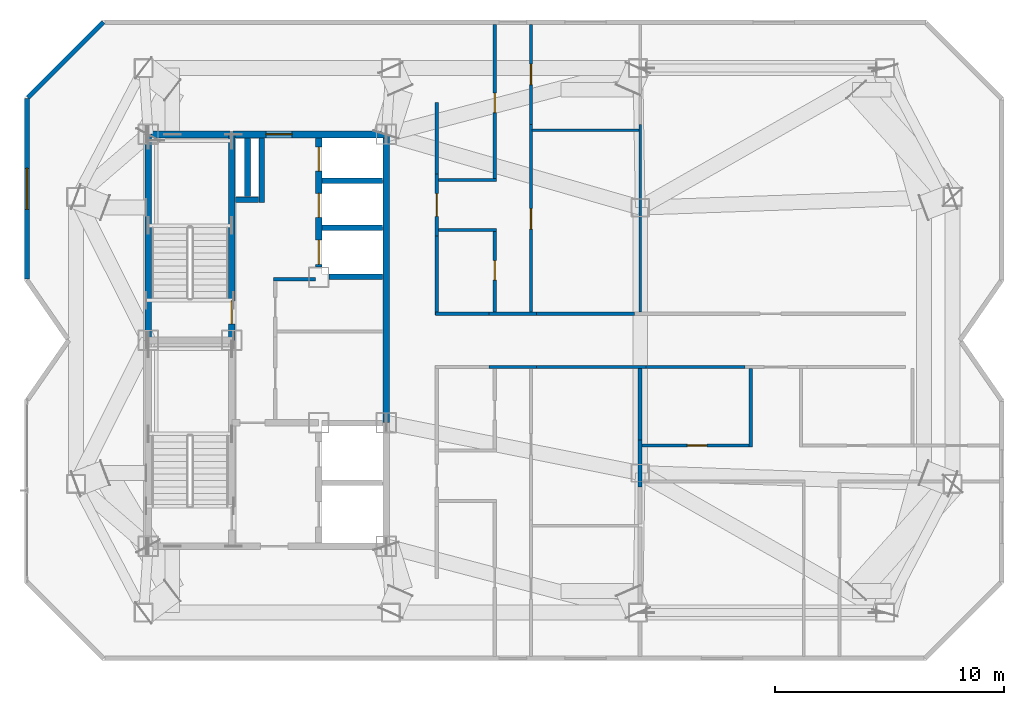
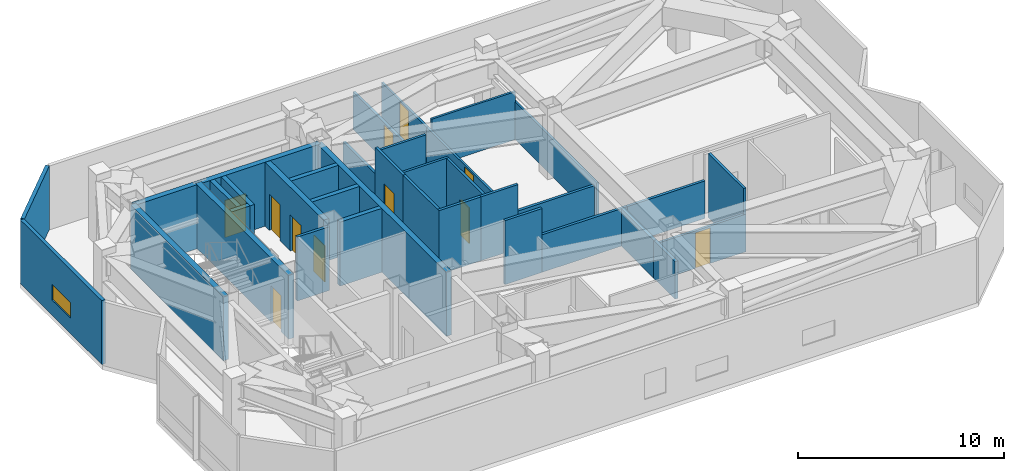
# One storey, part 7 of 9: 35 walls, 11 doors, 1 window, 12 openings.
"""IFC4 building model written with IfcOpenShell, lengths in metres."""

from ifc_helpers import new_model, si_unit, direction, frame, frame_2d, origin, place, context, subcontext, project, spatial, rectangle, extrude, material, layer, layer_set, type_object, element, fill, save


model = new_model("IFC4")

# Units and contexts
model_context = context("Model", 3, precision=1e-05, world=origin(), true_north=direction((0.0, 1.0)))
body_context = subcontext(model_context, "Body", "Model", "MODEL_VIEW")
ifc_project = project(units=[si_unit("LENGTHUNIT", "METRE"), si_unit("AREAUNIT", "SQUARE_METRE"), si_unit("VOLUMEUNIT", "CUBIC_METRE"), si_unit("PLANEANGLEUNIT", "RADIAN"), si_unit("MASSUNIT", "GRAM", prefix="KILO")], contexts=[model_context])

# Site, building, storey
site_placement = place(None, origin())
site = spatial("IfcSite", under=ifc_project, at=site_placement, CompositionType="ELEMENT")
building_placement = place(site_placement, origin())
building = spatial("IfcBuilding", under=site, at=building_placement, Name="Khamvora Tower", CompositionType="ELEMENT")
storey_placement = place(building_placement, frame((0.0, 0.0, 282.050048828125)))
storey = spatial("IfcBuildingStorey", under=building, at=storey_placement, Name="L72", CompositionType="ELEMENT", Elevation=282.050048828125)

# Wall
ifc_material_1 = material(Name="Concrete C50/60", Category="concrete")
ifc_layer_1 = layer(ifc_material_1, 0.300048828125)
ifc_layer_set_1 = layer_set([ifc_layer_1], Name="Concrete C50/60")
wall_type_1 = type_object("IfcWallType", Name="WAL-CORE-300", PredefinedType="SHEAR", material=ifc_layer_set_1)
wall_1_placement = place(storey_placement, frame((29.0, 28.0, 0.0), z_axis=(0.0, 0.0, 1.0), x_axis=(0.0, 1.0, 0.0)))
element("IfcWall", 1, at=wall_1_placement, inside=storey, type_object=wall_type_1, Name="L72 central core west north wall", PredefinedType="SHEAR", context=body_context, shape_type="SweptSolid", body=[
    extrude(rectangle(XDim=9.0, YDim=0.300048828125, at=frame_2d((4.5, 0.0))), origin(), (0.0, 0.0, 1.0), 3.780029296875),
])

# Wall, opening, door
wall_2_placement = place(storey_placement, frame((29.0, 37.0, 0.0), z_axis=(0.0, 0.0, 1.0), x_axis=(1.0, 0.0, 0.0)))
wall_2 = element("IfcWall", 2, at=wall_2_placement, inside=storey, type_object=wall_type_1, Name="L72 central core north wall", PredefinedType="SHEAR", context=body_context, shape_type="SweptSolid", body=[
    extrude(rectangle(XDim=10.39990234375, YDim=0.300048828125, at=frame_2d((5.199951171875, 0.0))), origin(), (0.0, 0.0, 1.0), 3.780029296875),
])
opening_1_placement = place(wall_2_placement, frame((5.139892578125, 0.0, 0.0)))
opening_1 = element("IfcOpeningElement", 3, at=opening_1_placement, cuts=wall_2, Name="Opening D-SC1", PredefinedType="OPENING", context=body_context, shape_type="SweptSolid", body=[
    extrude(rectangle(XDim=1.14990234375, YDim=2.199951171875, at=frame_2d((0.574951171875, 1.10009765625))), frame((0.0, 0.159912109375, 0.0), z_axis=(0.0, -1.0, 0.0), x_axis=(1.0, 0.0, 0.0)), (0.0, 0.0, 1.0), 0.320068359375),
])
ifc_material_2 = material(Name="Powder-Coated Steel and Hardwood Leaf", Category="steel")
door_type_1 = type_object("IfcDoorType", Name="DOR-SCHL-1150", OperationType="NOTDEFINED", PredefinedType="DOOR", material=ifc_material_2)
door_1_placement = place(opening_1_placement, origin())
door_1 = element("IfcDoor", 4, at=door_1_placement, inside=storey, type_object=door_type_1, Name="L72 north core lobby to corridor fire door", OperationType="SINGLE_SWING_RIGHT", OverallHeight=2.199951171875, OverallWidth=1.14990234375, PredefinedType="DOOR", context=body_context, shape_type="SweptSolid", body=[
    extrude(rectangle(XDim=1.14990234375, YDim=2.199951171875, at=frame_2d((0.574951171875, 1.10009765625))), frame((0.0, 0.02490234375, 0.0), z_axis=(0.0, -1.0, 0.0), x_axis=(1.0, 0.0, 0.0)), (0.0, 0.0, 1.0), 0.050048828125),
])
fill(opening_1, door_1)

# Wall
wall_3_placement = place(storey_placement, frame((39.39990234375, 24.39990234375, 0.0), z_axis=(0.0, 0.0, 1.0), x_axis=(0.0, 1.0, 0.0)))
element("IfcWall", 5, at=wall_3_placement, inside=storey, type_object=wall_type_1, Name="L72 central core east north wall", PredefinedType="SHEAR", context=body_context, shape_type="SweptSolid", body=[
    extrude(rectangle(XDim=12.60009765625, YDim=0.300048828125, at=frame_2d((6.300048828125, 0.0))), origin(), (0.0, 0.0, 1.0), 3.780029296875),
])

# Wall, opening, door
wall_4_placement = place(storey_placement, frame((32.64990234375, 28.0, 0.0), z_axis=(0.0, 0.0, 1.0), x_axis=(0.0, 1.0, 0.0)))
wall_4 = element("IfcWall", 6, at=wall_4_placement, inside=storey, type_object=wall_type_1, Name="L72 central core stair north spine wall", PredefinedType="SHEAR", context=body_context, shape_type="SweptSolid", body=[
    extrude(rectangle(XDim=9.0, YDim=0.300048828125, at=frame_2d((4.5, 0.0))), origin(), (0.0, 0.0, 1.0), 3.780029296875),
])
opening_2_placement = place(wall_4_placement, frame((0.719970703125, 0.0, 0.0)))
opening_2 = element("IfcOpeningElement", 7, at=opening_2_placement, cuts=wall_4, Name="Opening D-ST1", PredefinedType="OPENING", context=body_context, shape_type="SweptSolid", body=[
    extrude(rectangle(XDim=1.0, YDim=2.14990234375, at=frame_2d((0.5, 1.074951171875))), frame((0.0, 0.159912109375, 0.0), z_axis=(0.0, -1.0, 0.0), x_axis=(1.0, 0.0, 0.0)), (0.0, 0.0, 1.0), 0.320068359375),
])
door_type_2 = type_object("IfcDoorType", Name="DOR-STAIR-1000", OperationType="NOTDEFINED", PredefinedType="DOOR", material=ifc_material_2)
door_2_placement = place(opening_2_placement, origin())
door_2 = element("IfcDoor", 8, at=door_2_placement, inside=storey, type_object=door_type_2, Name="L72 exit stair ST-02 fire door", OperationType="SINGLE_SWING_RIGHT", OverallHeight=2.14990234375, OverallWidth=1.0, PredefinedType="DOOR", context=body_context, shape_type="SweptSolid", body=[
    extrude(rectangle(XDim=1.0, YDim=2.14990234375, at=frame_2d((0.5, 1.074951171875))), frame((0.0, 0.02490234375, 0.0), z_axis=(0.0, -1.0, 0.0), x_axis=(1.0, 0.0, 0.0)), (0.0, 0.0, 1.0), 0.050048828125),
])
fill(opening_2, door_2)

# Wall, openings, doors
wall_5_placement = place(storey_placement, frame((36.449951171875, 31.199951171875, 0.0), z_axis=(0.0, 0.0, 1.0), x_axis=(0.0, 1.0, 0.0)))
wall_5 = element("IfcWall", 9, at=wall_5_placement, inside=storey, type_object=wall_type_1, Name="L72 central core lift bank central wall", PredefinedType="SHEAR", context=body_context, shape_type="SweptSolid", body=[
    extrude(rectangle(XDim=5.64599609375, YDim=0.300048828125, at=frame_2d((2.822998046875, 0.0))), origin(), (0.0, 0.0, 1.0), 3.780029296875),
])
opening_3_placement = place(wall_5_placement, frame((0.125, 0.0, 0.0)))
opening_3 = element("IfcOpeningElement", 10, at=opening_3_placement, cuts=wall_5, Name="Opening LD-PL", PredefinedType="OPENING", context=body_context, shape_type="SweptSolid", body=[
    extrude(rectangle(XDim=1.050048828125, YDim=2.14990234375, at=frame_2d((0.52490234375, 1.074951171875))), frame((0.0, 0.159912109375, 0.0), z_axis=(0.0, -1.0, 0.0), x_axis=(1.0, 0.0, 0.0)), (0.0, 0.0, 1.0), 0.320068359375),
])
opening_4_placement = place(wall_5_placement, frame((2.175048828125, 0.0, 0.0)))
opening_4 = element("IfcOpeningElement", 11, at=opening_4_placement, cuts=wall_5, Name="Opening LD-PL", PredefinedType="OPENING", context=body_context, shape_type="SweptSolid", body=[
    extrude(rectangle(XDim=1.050048828125, YDim=2.14990234375, at=frame_2d((0.52490234375, 1.074951171875))), frame((0.0, 0.159912109375, 0.0), z_axis=(0.0, -1.0, 0.0), x_axis=(1.0, 0.0, 0.0)), (0.0, 0.0, 1.0), 0.320068359375),
])
opening_5_placement = place(wall_5_placement, frame((4.195068359375, 0.0, 0.0)))
opening_5 = element("IfcOpeningElement", 12, at=opening_5_placement, cuts=wall_5, Name="Opening LD-PL", PredefinedType="OPENING", context=body_context, shape_type="SweptSolid", body=[
    extrude(rectangle(XDim=1.050048828125, YDim=2.14990234375, at=frame_2d((0.52490234375, 1.074951171875))), frame((0.0, 0.159912109375, 0.0), z_axis=(0.0, -1.0, 0.0), x_axis=(1.0, 0.0, 0.0)), (0.0, 0.0, 1.0), 0.320068359375),
])
door_type_3 = type_object("IfcDoorType", Name="DOR-LIFT-1050", OperationType="SLIDING_TO_LEFT", PredefinedType="DOOR", material=ifc_material_2)
door_3_placement = place(opening_3_placement, origin())
door_3 = element("IfcDoor", 13, at=door_3_placement, inside=storey, type_object=door_type_3, Name="L72 lift landing sliding door PH-01", OperationType="SLIDING_TO_LEFT", OverallHeight=2.14990234375, OverallWidth=1.050048828125, PredefinedType="DOOR", context=body_context, shape_type="SweptSolid", body=[
    extrude(rectangle(XDim=1.050048828125, YDim=2.14990234375, at=frame_2d((0.52490234375, 1.074951171875))), frame((0.0, 0.02490234375, 0.0), z_axis=(0.0, -1.0, 0.0), x_axis=(1.0, 0.0, 0.0)), (0.0, 0.0, 1.0), 0.050048828125),
])
fill(opening_3, door_3)
door_4_placement = place(opening_4_placement, origin())
door_4 = element("IfcDoor", 14, at=door_4_placement, inside=storey, type_object=door_type_3, Name="L72 lift landing sliding door PH-02", OperationType="SLIDING_TO_LEFT", OverallHeight=2.14990234375, OverallWidth=1.050048828125, PredefinedType="DOOR", context=body_context, shape_type="SweptSolid", body=[
    extrude(rectangle(XDim=1.050048828125, YDim=2.14990234375, at=frame_2d((0.52490234375, 1.074951171875))), frame((0.0, 0.02490234375, 0.0), z_axis=(0.0, -1.0, 0.0), x_axis=(1.0, 0.0, 0.0)), (0.0, 0.0, 1.0), 0.050048828125),
])
fill(opening_4, door_4)
door_5_placement = place(opening_5_placement, origin())
door_5 = element("IfcDoor", 15, at=door_5_placement, inside=storey, type_object=door_type_3, Name="L72 lift landing sliding door PH-03", OperationType="SLIDING_TO_LEFT", OverallHeight=2.14990234375, OverallWidth=1.050048828125, PredefinedType="DOOR", context=body_context, shape_type="SweptSolid", body=[
    extrude(rectangle(XDim=1.050048828125, YDim=2.14990234375, at=frame_2d((0.52490234375, 1.074951171875))), frame((0.0, 0.02490234375, 0.0), z_axis=(0.0, -1.0, 0.0), x_axis=(1.0, 0.0, 0.0)), (0.0, 0.0, 1.0), 0.050048828125),
])
fill(opening_5, door_5)

# Walls
ifc_material_3 = material(Name="Fire-Rated Drywall and Steel Stud", Category="steel")
ifc_layer_2 = layer(ifc_material_3, 0.14990234375)
ifc_layer_set_2 = layer_set([ifc_layer_2], Name="Fire-Rated Drywall and Steel Stud")
wall_type_2 = type_object("IfcWallType", Name="WAL-CORR-150", PredefinedType="STANDARD", material=ifc_layer_set_2)
wall_6_placement = place(storey_placement, frame((36.300048828125, 30.6650390625, 0.0), z_axis=(0.0, 0.0, 1.0), x_axis=(-1.0, 0.0, 0.0)))
element("IfcWall", 16, at=wall_6_placement, inside=storey, type_object=wall_type_2, Name="L72 interior partition wall 001", PredefinedType="STANDARD", context=body_context, shape_type="SweptSolid", body=[
    extrude(rectangle(XDim=1.820068359375, YDim=0.14990234375, at=frame_2d((0.91015625, 0.0))), origin(), (0.0, 0.0, 1.0), 3.780029296875),
])
wall_7_placement = place(storey_placement, frame((45.97412109375, 26.8349609375, 0.0), z_axis=(0.0, 0.0, 1.0), x_axis=(-1.0, 0.0, 0.0)))
element("IfcWall", 17, at=wall_7_placement, inside=storey, type_object=wall_type_2, Name="L72 interior partition wall 006", PredefinedType="STANDARD", context=body_context, shape_type="SweptSolid", body=[
    extrude(rectangle(XDim=2.078125, YDim=0.14990234375, at=frame_2d((1.0390625, 0.0))), origin(), (0.0, 0.0, 1.0), 3.780029296875),
])
wall_8_placement = place(storey_placement, frame((50.743896484375, 26.8349609375, 0.0), z_axis=(0.0, 0.0, 1.0), x_axis=(-1.0, 0.0, 0.0)))
element("IfcWall", 18, at=wall_8_placement, inside=storey, type_object=wall_type_2, Name="L72 interior partition wall 011", PredefinedType="STANDARD", context=body_context, shape_type="SweptSolid", body=[
    extrude(rectangle(XDim=4.769775390625, YDim=0.14990234375, at=frame_2d((2.384765625, 0.0))), origin(), (0.0, 0.0, 1.0), 2.219970703125),
])
wall_9_placement = place(storey_placement, frame((55.08203125, 26.8349609375, 0.0), z_axis=(0.0, 0.0, 1.0), x_axis=(-1.0, 0.0, 0.0)))
element("IfcWall", 19, at=wall_9_placement, inside=storey, type_object=wall_type_2, Name="L72 interior partition wall 013", PredefinedType="STANDARD", context=body_context, shape_type="SweptSolid", body=[
    extrude(rectangle(XDim=4.338134765625, YDim=0.14990234375, at=frame_2d((2.1689453125, 0.0))), origin(), (0.0, 0.0, 1.0), 2.219970703125),
])
wall_10_placement = place(storey_placement, frame((43.89599609375, 29.1650390625, 0.0), z_axis=(0.0, 0.0, 1.0), x_axis=(1.0, 0.0, 0.0)))
element("IfcWall", 20, at=wall_10_placement, inside=storey, type_object=wall_type_2, Name="L72 interior partition wall 015", PredefinedType="STANDARD", context=body_context, shape_type="SweptSolid", body=[
    extrude(rectangle(XDim=2.078125, YDim=0.14990234375, at=frame_2d((1.0390625, 0.0))), origin(), (0.0, 0.0, 1.0), 3.780029296875),
])

# Wall, opening, door
wall_11_placement = place(storey_placement, frame((41.614990234375, 35.264892578125, 0.0), z_axis=(0.0, 0.0, 1.0), x_axis=(0.0, -1.0, 0.0)))
wall_11 = element("IfcWall", 21, at=wall_11_placement, inside=storey, type_object=wall_type_2, Name="L72 interior partition wall 016", PredefinedType="STANDARD", context=body_context, shape_type="SweptSolid", body=[
    extrude(rectangle(XDim=2.697998046875, YDim=0.14990234375, at=frame_2d((1.34912109375, 0.0))), origin(), (0.0, 0.0, 1.0), 3.780029296875),
])
opening_6_placement = place(wall_11_placement, frame((0.84912109375, 0.0, 0.0)))
opening_6 = element("IfcOpeningElement", 22, at=opening_6_placement, cuts=wall_11, Name="Opening D-U1", PredefinedType="OPENING", context=body_context, shape_type="SweptSolid", body=[
    extrude(rectangle(XDim=1.0, YDim=2.14990234375, at=frame_2d((0.5, 1.074951171875))), frame((0.0, 0.0849609375, 0.0), z_axis=(0.0, -1.0, 0.0), x_axis=(1.0, 0.0, 0.0)), (0.0, 0.0, 1.0), 0.169921875),
])
door_type_4 = type_object("IfcDoorType", Name="DOR-UNIT-1000", OperationType="NOTDEFINED", PredefinedType="DOOR", material=ifc_material_2)
door_6_placement = place(opening_6_placement, origin())
door_6 = element("IfcDoor", 23, at=door_6_placement, inside=storey, type_object=door_type_4, Name="L72 interior door COR-72EH", OperationType="SINGLE_SWING_RIGHT", OverallHeight=2.14990234375, OverallWidth=1.0, PredefinedType="DOOR", context=body_context, shape_type="SweptSolid", body=[
    extrude(rectangle(XDim=1.0, YDim=2.14990234375, at=frame_2d((0.5, 1.074951171875))), frame((0.0, 0.02490234375, 0.0), z_axis=(0.0, -1.0, 0.0), x_axis=(1.0, 0.0, 0.0)), (0.0, 0.0, 1.0), 0.050048828125),
])
fill(opening_6, door_6)

# Walls
wall_12_placement = place(storey_placement, frame((41.550048828125, 29.1650390625, 0.0), z_axis=(0.0, 0.0, 1.0), x_axis=(1.0, 0.0, 0.0)))
element("IfcWall", 24, at=wall_12_placement, inside=storey, type_object=wall_type_2, Name="L72 interior partition wall 017", PredefinedType="STANDARD", context=body_context, shape_type="SweptSolid", body=[
    extrude(rectangle(XDim=2.345947265625, YDim=0.14990234375, at=frame_2d((1.1728515625, 0.0))), origin(), (0.0, 0.0, 1.0), 3.780029296875),
])
wall_13_placement = place(storey_placement, frame((41.614990234375, 32.56689453125, 0.0), z_axis=(0.0, 0.0, 1.0), x_axis=(0.0, -1.0, 0.0)))
element("IfcWall", 25, at=wall_13_placement, inside=storey, type_object=wall_type_2, Name="L72 interior partition wall 018", PredefinedType="STANDARD", context=body_context, shape_type="SweptSolid", body=[
    extrude(rectangle(XDim=3.46484375, YDim=0.14990234375, at=frame_2d((1.732421875, 0.0))), origin(), (0.0, 0.0, 1.0), 3.780029296875),
])
wall_14_placement = place(storey_placement, frame((41.614990234375, 38.39990234375, 0.0), z_axis=(0.0, 0.0, 1.0), x_axis=(0.0, -1.0, 0.0)))
element("IfcWall", 26, at=wall_14_placement, inside=storey, type_object=wall_type_2, Name="L72 interior partition wall 019", PredefinedType="STANDARD", context=body_context, shape_type="SweptSolid", body=[
    extrude(rectangle(XDim=3.135009765625, YDim=0.14990234375, at=frame_2d((1.5673828125, 0.0))), origin(), (0.0, 0.0, 1.0), 2.219970703125),
])
wall_15_placement = place(storey_placement, frame((45.97412109375, 29.1650390625, 0.0), z_axis=(0.0, 0.0, 1.0), x_axis=(1.0, 0.0, 0.0)))
element("IfcWall", 27, at=wall_15_placement, inside=storey, type_object=wall_type_2, Name="L72 interior partition wall 020", PredefinedType="STANDARD", context=body_context, shape_type="SweptSolid", body=[
    extrude(rectangle(XDim=4.281982421875, YDim=0.14990234375, at=frame_2d((2.14111328125, 0.0))), origin(), (0.0, 0.0, 1.0), 2.219970703125),
])
ifc_material_4 = material(Name="Acoustic Double-Stud Fire Wall", Category="gypsum")
ifc_layer_3 = layer(ifc_material_4, 0.179931640625)
ifc_layer_set_3 = layer_set([ifc_layer_3], Name="Acoustic Double-Stud Fire Wall")
wall_type_3 = type_object("IfcWallType", Name="WAL-CORR-180", PredefinedType="STANDARD", material=ifc_layer_set_3)
wall_16_placement = place(storey_placement, frame((50.4951171875, 23.65087890625, 0.0), z_axis=(0.0, 0.0, 1.0), x_axis=(0.0, -1.0, 0.0)))
element("IfcWall", 28, at=wall_16_placement, inside=storey, type_object=wall_type_3, Name="L72 interior partition wall 031", PredefinedType="STANDARD", context=body_context, shape_type="SweptSolid", body=[
    extrude(rectangle(XDim=2.06884765625, YDim=0.179931640625, at=frame_2d((1.034423828125, 0.0))), origin(), (0.0, 0.0, 1.0), 2.219970703125),
])
wall_17_placement = place(storey_placement, frame((50.4951171875, 26.77001953125, 0.0), z_axis=(0.0, 0.0, 1.0), x_axis=(0.0, -1.0, 0.0)))
element("IfcWall", 29, at=wall_17_placement, inside=storey, type_object=wall_type_3, Name="L72 interior partition wall 032", PredefinedType="STANDARD", context=body_context, shape_type="SweptSolid", body=[
    extrude(rectangle(XDim=3.119140625, YDim=0.179931640625, at=frame_2d((1.5595703125, 0.0))), origin(), (0.0, 0.0, 1.0), 2.219970703125),
])

# Wall, opening, window
ifc_material_5 = material(Name="Precast concrete C40/50", Category="concrete")
ifc_layer_4 = layer(ifc_material_5, 0.199951171875)
ifc_layer_set_4 = layer_set([ifc_layer_4], Name="Precast concrete C40/50")
wall_type_4 = type_object("IfcWallType", Name="WAL-EXT-200", PredefinedType="STANDARD", material=ifc_layer_set_4)
wall_18_placement = place(storey_placement, frame((23.699951171875, 30.679931640625, 0.0), z_axis=(0.0, 0.0, 1.0), x_axis=(0.0, 1.0, 0.0)))
wall_18 = element("IfcWall", 30, at=wall_18_placement, inside=storey, type_object=wall_type_4, Name="L72 exterior facade wall 05.1", PredefinedType="STANDARD", context=body_context, shape_type="SweptSolid", body=[
    extrude(rectangle(XDim=7.879150390625, YDim=0.199951171875, at=frame_2d((3.939453125, 0.0))), origin(), (0.0, 0.0, 1.0), 3.780029296875),
])
opening_7_placement = place(wall_18_placement, frame((3.0390625, 0.0, 0.89990234375)))
opening_7 = element("IfcOpeningElement", 31, at=opening_7_placement, cuts=wall_18, Name="Opening WN-09", PredefinedType="OPENING", context=body_context, shape_type="SweptSolid", body=[
    extrude(rectangle(XDim=1.800048828125, YDim=0.919921875, at=frame_2d((0.89990234375, 0.4599609375))), frame((0.0, 0.10986328125, 0.0), z_axis=(0.0, -1.0, 0.0), x_axis=(1.0, 0.0, 0.0)), (0.0, 0.0, 1.0), 0.219970703125),
])
ifc_material_6 = material(Name="Low-E Laminated Double Glazing", Category="glass")
window_type = type_object("IfcWindowType", Name="WIN-CLR-1800x920", PartitioningType="SINGLE_PANEL", PredefinedType="WINDOW", material=ifc_material_6)
window_placement = place(opening_7_placement, origin())
window = element("IfcWindow", 32, at=window_placement, inside=storey, type_object=window_type, Name="L72 vision window 05.1.01", OverallHeight=0.919921875, OverallWidth=1.800048828125, PartitioningType="SINGLE_PANEL", PredefinedType="WINDOW", context=body_context, shape_type="SweptSolid", body=[
    extrude(rectangle(XDim=1.800048828125, YDim=0.919921875, at=frame_2d((0.89990234375, 0.4599609375))), frame((0.0, 0.030029296875, 0.0), z_axis=(0.0, -1.0, 0.0), x_axis=(1.0, 0.0, 0.0)), (0.0, 0.0, 1.0), 0.06005859375),
])
fill(opening_7, window)

# Walls
wall_19_placement = place(storey_placement, frame((23.743896484375, 38.60302734375, 0.0), z_axis=(0.0, 0.0, 1.0), x_axis=(0.707132961115, 0.707080600289, 0.0)))
element("IfcWall", 33, at=wall_19_placement, inside=storey, type_object=wall_type_4, Name="L72 exterior facade wall 06.1", PredefinedType="STANDARD", context=body_context, shape_type="SweptSolid", body=[
    extrude(rectangle(XDim=4.66259765625, YDim=0.199951171875, at=frame_2d((2.331298828125, 0.0))), origin(), (0.0, 0.0, 1.0), 3.780029296875),
])
ifc_material_7 = material(Name="Gypsum Plasterboard Partition", Category="gypsum")
ifc_layer_5 = layer(ifc_material_7, 0.1201171875)
ifc_layer_set_5 = layer_set([ifc_layer_5], Name="Gypsum Plasterboard Partition")
wall_type_5 = type_object("IfcWallType", Name="WAL-PART-120", PredefinedType="PARTITIONING", material=ifc_layer_set_5)
wall_20_placement = place(storey_placement, frame((50.5048828125, 29.22998046875, 0.0), z_axis=(0.0, 0.0, 1.0), x_axis=(0.0, 1.0, 0.0)))
element("IfcWall", 34, at=wall_20_placement, inside=storey, type_object=wall_type_5, Name="L72 interior partition wall 021", PredefinedType="PARTITIONING", context=body_context, shape_type="SweptSolid", body=[
    extrude(rectangle(XDim=8.197998046875, YDim=0.1201171875, at=frame_2d((4.09912109375, 0.0))), origin(), (0.0, 0.0, 1.0), 2.219970703125),
])

# Wall, opening, door
wall_21_placement = place(storey_placement, frame((45.72509765625, 37.43310546875, 0.0), z_axis=(0.0, 0.0, 1.0), x_axis=(0.0, -1.0, 0.0)))
wall_21 = element("IfcWall", 35, at=wall_21_placement, inside=storey, type_object=wall_type_5, Name="L72 interior partition wall 048", PredefinedType="PARTITIONING", context=body_context, shape_type="SweptSolid", body=[
    extrude(rectangle(XDim=8.203125, YDim=0.1201171875, at=frame_2d((4.1015625, 0.0))), origin(), (0.0, 0.0, 1.0), 2.219970703125),
])
opening_8_placement = place(wall_21_placement, frame((3.672119140625, 0.0, 0.0)))
opening_8 = element("IfcOpeningElement", 36, at=opening_8_placement, cuts=wall_21, Name="Opening D-RM1", PredefinedType="OPENING", context=body_context, shape_type="SweptSolid", body=[
    extrude(rectangle(XDim=0.89990234375, YDim=2.10009765625, at=frame_2d((0.449951171875, 1.050048828125))), frame((0.0, 0.070068359375, 0.0), z_axis=(0.0, -1.0, 0.0), x_axis=(1.0, 0.0, 0.0)), (0.0, 0.0, 1.0), 0.14013671875),
])
door_type_5 = type_object("IfcDoorType", Name="DOR-ROOM-900", OperationType="NOTDEFINED", PredefinedType="DOOR", material=ifc_material_2)
door_7_placement = place(opening_8_placement, origin())
door_7 = element("IfcDoor", 37, at=door_7_placement, inside=storey, type_object=door_type_5, Name="L72 interior door 72EH-72ER1", OperationType="SINGLE_SWING_RIGHT", OverallHeight=2.10009765625, OverallWidth=0.89990234375, PredefinedType="DOOR", context=body_context, shape_type="SweptSolid", body=[
    extrude(rectangle(XDim=0.89990234375, YDim=2.10009765625, at=frame_2d((0.449951171875, 1.050048828125))), frame((0.0, 0.02490234375, 0.0), z_axis=(0.0, -1.0, 0.0), x_axis=(1.0, 0.0, 0.0)), (0.0, 0.0, 1.0), 0.050048828125),
])
fill(opening_8, door_7)

wall_22_placement = place(storey_placement, frame((45.72509765625, 41.80810546875, 0.0), z_axis=(0.0, 0.0, 1.0), x_axis=(0.0, -1.0, 0.0)))
wall_22 = element("IfcWall", 38, at=wall_22_placement, inside=storey, type_object=wall_type_5, Name="L72 interior partition wall 049", PredefinedType="PARTITIONING", context=body_context, shape_type="SweptSolid", body=[
    extrude(rectangle(XDim=4.375, YDim=0.1201171875, at=frame_2d((2.1875, 0.0))), origin(), (0.0, 0.0, 1.0), 2.219970703125),
])
opening_9_placement = place(wall_22_placement, frame((1.738037109375, 0.0, 0.0)))
opening_9 = element("IfcOpeningElement", 39, at=opening_9_placement, cuts=wall_22, Name="Opening D-RM1", PredefinedType="OPENING", context=body_context, shape_type="SweptSolid", body=[
    extrude(rectangle(XDim=0.89990234375, YDim=2.10009765625, at=frame_2d((0.449951171875, 1.050048828125))), frame((0.0, 0.070068359375, 0.0), z_axis=(0.0, -1.0, 0.0), x_axis=(1.0, 0.0, 0.0)), (0.0, 0.0, 1.0), 0.14013671875),
])
door_8_placement = place(opening_9_placement, origin())
door_8 = element("IfcDoor", 40, at=door_8_placement, inside=storey, type_object=door_type_5, Name="L72 interior door 72EH-72ER2", OperationType="SINGLE_SWING_LEFT", OverallHeight=2.10009765625, OverallWidth=0.89990234375, PredefinedType="DOOR", context=body_context, shape_type="SweptSolid", body=[
    extrude(rectangle(XDim=0.89990234375, YDim=2.10009765625, at=frame_2d((0.449951171875, 1.050048828125))), frame((0.0, 0.02490234375, 0.0), z_axis=(0.0, -1.0, 0.0), x_axis=(1.0, 0.0, 0.0)), (0.0, 0.0, 1.0), 0.050048828125),
])
fill(opening_9, door_8)

# Walls
wall_23_placement = place(storey_placement, frame((45.779052734375, 37.18408203125, 0.0), z_axis=(0.0, 0.0, 1.0), x_axis=(1.0, 0.0, 0.0)))
element("IfcWall", 41, at=wall_23_placement, inside=storey, type_object=wall_type_5, Name="L72 interior partition wall 050", PredefinedType="PARTITIONING", context=body_context, shape_type="SweptSolid", body=[
    extrude(rectangle(XDim=4.671875, YDim=0.1201171875, at=frame_2d((2.3359375, 0.0))), origin(), (0.0, 0.0, 1.0), 2.8369140625),
])
ifc_material_8 = material(Name="Concrete C40/50", Category="concrete")
ifc_layer_6 = layer(ifc_material_8, 0.25)
ifc_layer_set_6 = layer_set([ifc_layer_6], Name="Concrete C40/50")
wall_type_6 = type_object("IfcWallType", Name="WAL-PODS-250", PredefinedType="SHEAR", material=ifc_layer_set_6)
wall_24_placement = place(storey_placement, frame((36.904052734375, 30.77490234375, 0.0), z_axis=(0.0, 0.0, 1.0), x_axis=(1.0, 0.0, 0.0)))
element("IfcWall", 42, at=wall_24_placement, inside=storey, type_object=wall_type_6, Name="L72 high-rise lift shaft south enclosure wall PH-01", PredefinedType="SHEAR", context=body_context, shape_type="SweptSolid", body=[
    extrude(rectangle(XDim=2.342041015625, YDim=0.25, at=frame_2d((1.1708984375, 0.0))), origin(), (0.0, 0.0, 1.0), 3.780029296875),
])
for number, where, z_axis, x_axis, name in (
    (43, (36.60400390625, 32.925048828125, 0.0), (0.0, 0.0, 1.0), (1.0, 0.0, 0.0), "L72 lift shaft divider wall PH-01"),
    (44, (36.60400390625, 34.97509765625, 0.0), (0.0, 0.0, 1.0), (1.0, 0.0, 0.0), "L72 lift shaft divider wall PH-02"),
):
    element("IfcWall", number, at=place(storey_placement, frame(where, z_axis=z_axis, x_axis=x_axis)), inside=storey, type_object=wall_type_6, Name=name, PredefinedType="SHEAR", context=body_context, shape_type="SweptSolid", body=[
        extrude(rectangle(XDim=2.64208984375, YDim=0.25, at=frame_2d((1.321044921875, 0.0))), origin(), (0.0, 0.0, 1.0), 3.780029296875),
    ])
wall_25_placement = place(storey_placement, frame((33.955078125, 34.02490234375, 0.0), z_axis=(0.0, 0.0, 1.0), x_axis=(0.0, 1.0, 0.0)))
element("IfcWall", 45, at=wall_25_placement, inside=storey, type_object=wall_type_6, Name="L72 vertical MEP riser shaft east enclosure wall", PredefinedType="SHEAR", context=body_context, shape_type="SweptSolid", body=[
    extrude(rectangle(XDim=2.821044921875, YDim=0.25, at=frame_2d((1.41064453125, 0.0))), origin(), (0.0, 0.0, 1.0), 3.780029296875),
])
wall_26_placement = place(storey_placement, frame((32.803955078125, 34.14990234375, 0.0), z_axis=(0.0, 0.0, 1.0), x_axis=(1.0, 0.0, 0.0)))
element("IfcWall", 46, at=wall_26_placement, inside=storey, type_object=wall_type_6, Name="L72 vertical MEP riser shaft south enclosure wall", PredefinedType="SHEAR", context=body_context, shape_type="SweptSolid", body=[
    extrude(rectangle(XDim=1.02197265625, YDim=0.25, at=frame_2d((0.510986328125, 0.0))), origin(), (0.0, 0.0, 1.0), 3.780029296875),
])
wall_27_placement = place(storey_placement, frame((33.340087890625, 34.279052734375, 0.0), z_axis=(0.0, 0.0, 1.0), x_axis=(0.0, 1.0, 0.0)))
element("IfcWall", 47, at=wall_27_placement, inside=storey, type_object=wall_type_6, Name="L72 vertical MEP riser shaft divider enclosure wall", PredefinedType="SHEAR", context=body_context, shape_type="SweptSolid", body=[
    extrude(rectangle(XDim=2.56689453125, YDim=0.25, at=frame_2d((1.283447265625, 0.0))), origin(), (0.0, 0.0, 1.0), 3.780029296875),
])

# Wall, opening, door
ifc_material_9 = material(Name="Moisture-Resistant Plasterboard Partition", Category="gypsum")
ifc_layer_7 = layer(ifc_material_9, 0.135009765625)
ifc_layer_set_7 = layer_set([ifc_layer_7], Name="Moisture-Resistant Plasterboard Partition")
wall_type_7 = type_object("IfcWallType", Name="WAL-WET-135", PredefinedType="PARTITIONING", material=ifc_layer_set_7)
wall_28_placement = place(storey_placement, frame((50.576904296875, 23.406005859375, 0.0), z_axis=(0.0, 0.0, 1.0), x_axis=(1.0, 0.0, 0.0)))
wall_28 = element("IfcWall", 48, at=wall_28_placement, inside=storey, type_object=wall_type_7, Name="L72 interior partition wall 036", PredefinedType="PARTITIONING", context=body_context, shape_type="SweptSolid", body=[
    extrude(rectangle(XDim=4.819091796875, YDim=0.135009765625, at=frame_2d((2.40966796875, 0.0))), origin(), (0.0, 0.0, 1.0), 2.219970703125),
])
opening_10_placement = place(wall_28_placement, frame((1.98388671875, 0.0, 0.0)))
opening_10 = element("IfcOpeningElement", 49, at=opening_10_placement, cuts=wall_28, Name="Opening D-WC1", PredefinedType="OPENING", context=body_context, shape_type="SweptSolid", body=[
    extrude(rectangle(XDim=0.85009765625, YDim=2.10009765625, at=frame_2d((0.425048828125, 1.050048828125))), frame((0.0, 0.077392578125, 0.0), z_axis=(0.0, -1.0, 0.0), x_axis=(1.0, 0.0, 0.0)), (0.0, 0.0, 1.0), 0.155029296875),
])
door_type_6 = type_object("IfcDoorType", Name="DOR-WET-850", OperationType="NOTDEFINED", PredefinedType="DOOR", material=ifc_material_2)
door_9_placement = place(opening_10_placement, origin())
door_9 = element("IfcDoor", 50, at=door_9_placement, inside=storey, type_object=door_type_6, Name="L72 interior door 72DH-72DB", OperationType="SINGLE_SWING_RIGHT", OverallHeight=2.10009765625, OverallWidth=0.85009765625, PredefinedType="DOOR", context=body_context, shape_type="SweptSolid", body=[
    extrude(rectangle(XDim=0.85009765625, YDim=2.10009765625, at=frame_2d((0.425048828125, 1.050048828125))), frame((0.0, 0.02490234375, 0.0), z_axis=(0.0, -1.0, 0.0), x_axis=(1.0, 0.0, 0.0)), (0.0, 0.0, 1.0), 0.050048828125),
])
fill(opening_10, door_9)

# Wall
wall_29_placement = place(storey_placement, frame((55.3310546875, 23.341064453125, 0.0), z_axis=(0.0, 0.0, 1.0), x_axis=(0.0, 1.0, 0.0)))
element("IfcWall", 51, at=wall_29_placement, inside=storey, type_object=wall_type_7, Name="L72 interior partition wall 037", PredefinedType="PARTITIONING", context=body_context, shape_type="SweptSolid", body=[
    extrude(rectangle(XDim=3.428955078125, YDim=0.135009765625, at=frame_2d((1.71435546875, 0.0))), origin(), (0.0, 0.0, 1.0), 3.780029296875),
])

# Wall, opening, door
wall_30_placement = place(storey_placement, frame((44.14501953125, 29.22998046875, 0.0), z_axis=(0.0, 0.0, 1.0), x_axis=(0.0, 1.0, 0.0)))
wall_30 = element("IfcWall", 52, at=wall_30_placement, inside=storey, type_object=wall_type_7, Name="L72 interior partition wall 044", PredefinedType="PARTITIONING", context=body_context, shape_type="SweptSolid", body=[
    extrude(rectangle(XDim=3.651123046875, YDim=0.135009765625, at=frame_2d((1.82568359375, 0.0))), origin(), (0.0, 0.0, 1.0), 3.780029296875),
])
opening_11_placement = place(wall_30_placement, frame((1.39990234375, 0.0, 0.0)))
opening_11 = element("IfcOpeningElement", 53, at=opening_11_placement, cuts=wall_30, Name="Opening D-WC1", PredefinedType="OPENING", context=body_context, shape_type="SweptSolid", body=[
    extrude(rectangle(XDim=0.85009765625, YDim=2.10009765625, at=frame_2d((0.425048828125, 1.050048828125))), frame((0.0, 0.077392578125, 0.0), z_axis=(0.0, -1.0, 0.0), x_axis=(1.0, 0.0, 0.0)), (0.0, 0.0, 1.0), 0.155029296875),
])
door_10_placement = place(opening_11_placement, origin())
door_10 = element("IfcDoor", 54, at=door_10_placement, inside=storey, type_object=door_type_6, Name="L72 interior door 72EH-72EB", OperationType="SINGLE_SWING_RIGHT", OverallHeight=2.10009765625, OverallWidth=0.85009765625, PredefinedType="DOOR", context=body_context, shape_type="SweptSolid", body=[
    extrude(rectangle(XDim=0.85009765625, YDim=2.10009765625, at=frame_2d((0.425048828125, 1.050048828125))), frame((0.0, 0.02490234375, 0.0), z_axis=(0.0, -1.0, 0.0), x_axis=(1.0, 0.0, 0.0)), (0.0, 0.0, 1.0), 0.050048828125),
])
fill(opening_11, door_10)

# Walls
for number, where, z_axis, x_axis, name in (
    (55, (44.2099609375, 32.81591796875, 0.0), (0.0, 0.0, 1.0), (-1.0, 0.0, 0.0), "L72 interior partition wall 045"),
    (56, (41.681884765625, 35.01611328125, 0.0), (0.0, 0.0, 1.0), (1.0, 0.0, 0.0), "L72 interior partition wall 046"),
):
    element("IfcWall", number, at=place(storey_placement, frame(where, z_axis=z_axis, x_axis=x_axis)), inside=storey, type_object=wall_type_7, Name=name, PredefinedType="PARTITIONING", context=body_context, shape_type="SweptSolid", body=[
        extrude(rectangle(XDim=2.528076171875, YDim=0.135009765625, at=frame_2d((1.26416015625, 0.0))), origin(), (0.0, 0.0, 1.0), 3.780029296875),
    ])

# Wall, opening, door
wall_31_placement = place(storey_placement, frame((44.14501953125, 34.950927734375, 0.0), z_axis=(0.0, 0.0, 1.0), x_axis=(0.0, 1.0, 0.0)))
wall_31 = element("IfcWall", 57, at=wall_31_placement, inside=storey, type_object=wall_type_7, Name="L72 interior partition wall 047", PredefinedType="PARTITIONING", context=body_context, shape_type="SweptSolid", body=[
    extrude(rectangle(XDim=6.857177734375, YDim=0.135009765625, at=frame_2d((3.4287109375, 0.0))), origin(), (0.0, 0.0, 1.0), 2.219970703125),
])
opening_12_placement = place(wall_31_placement, frame((3.00390625, 0.0, 0.0)))
opening_12 = element("IfcOpeningElement", 58, at=opening_12_placement, cuts=wall_31, Name="Opening D-RM2", PredefinedType="OPENING", context=body_context, shape_type="SweptSolid", body=[
    extrude(rectangle(XDim=0.85009765625, YDim=2.10009765625, at=frame_2d((0.425048828125, 1.050048828125))), frame((0.0, 0.077392578125, 0.0), z_axis=(0.0, -1.0, 0.0), x_axis=(1.0, 0.0, 0.0)), (0.0, 0.0, 1.0), 0.155029296875),
])
door_type_7 = type_object("IfcDoorType", Name="DOR-ROOM-850", OperationType="NOTDEFINED", PredefinedType="DOOR", material=ifc_material_2)
door_11_placement = place(opening_12_placement, origin())
door_11 = element("IfcDoor", 59, at=door_11_placement, inside=storey, type_object=door_type_7, Name="L72 interior door 72EH-72EK", OperationType="SINGLE_SWING_LEFT", OverallHeight=2.10009765625, OverallWidth=0.85009765625, PredefinedType="DOOR", context=body_context, shape_type="SweptSolid", body=[
    extrude(rectangle(XDim=0.85009765625, YDim=2.10009765625, at=frame_2d((0.425048828125, 1.050048828125))), frame((0.0, 0.02490234375, 0.0), z_axis=(0.0, -1.0, 0.0), x_axis=(1.0, 0.0, 0.0)), (0.0, 0.0, 1.0), 0.050048828125),
])
fill(opening_12, door_11)

save(model, "model.ifc")
